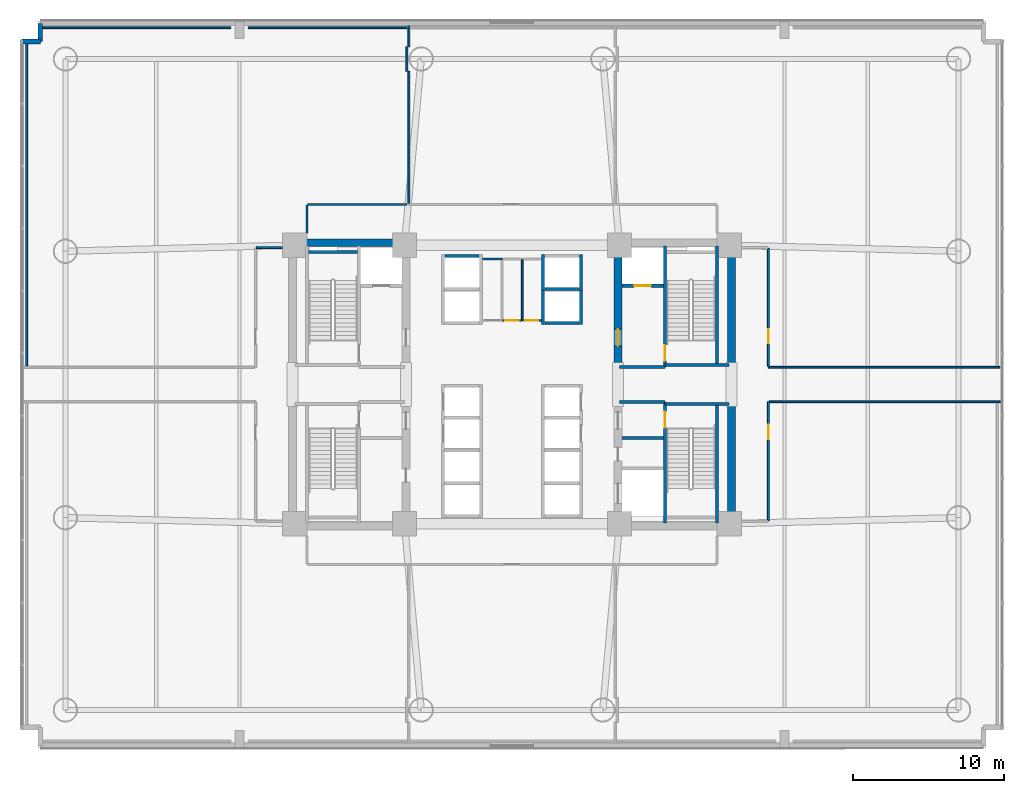
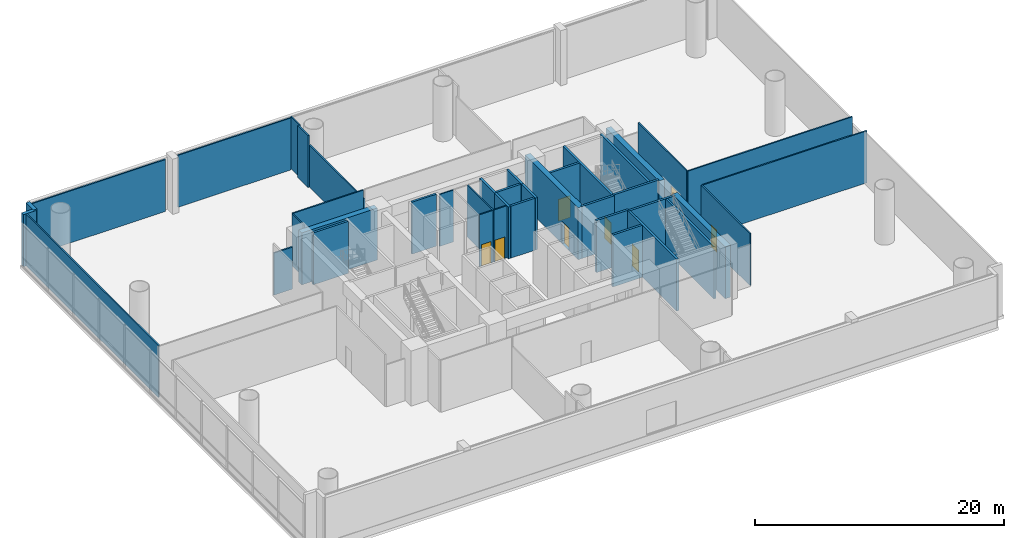
# One storey, part 9 of 15: 41 walls, 8 doors, 8 openings.
"""IFC4 building model written with IfcOpenShell, lengths in metres."""

from ifc_helpers import new_model, si_unit, direction, frame, frame_2d, origin, place, context, subcontext, project, spatial, rectangle, extrude, source, transform, mapped, material, layer, layer_set, type_object, element, fill, save


model = new_model("IFC4")

# Units and contexts
model_context = context("Model", 3, precision=1e-05, world=origin(), true_north=direction((0.0, 1.0)))
body_context = subcontext(model_context, "Body", "Model", "MODEL_VIEW")
ifc_project = project(units=[si_unit("LENGTHUNIT", "METRE"), si_unit("AREAUNIT", "SQUARE_METRE"), si_unit("VOLUMEUNIT", "CUBIC_METRE"), si_unit("PLANEANGLEUNIT", "RADIAN"), si_unit("MASSUNIT", "GRAM", prefix="KILO")], contexts=[model_context])

# Site, building, storey
site_placement = place(None, origin())
site = spatial("IfcSite", under=ifc_project, at=site_placement, CompositionType="ELEMENT")
building_placement = place(site_placement, origin())
building = spatial("IfcBuilding", under=site, at=building_placement, Name="Zahravan Cultural Tower", CompositionType="ELEMENT")
storey_placement = place(building_placement, frame((0.0, 0.0, 7.199951171875)))
storey = spatial("IfcBuildingStorey", under=building, at=storey_placement, Name="L01", CompositionType="ELEMENT", Elevation=7.199951171875)

# Wall, opening, door
ifc_material_1 = material(Name="Concrete C60/75", Category="concrete")
ifc_layer_1 = layer(ifc_material_1, 0.5)
ifc_layer_set_1 = layer_set([ifc_layer_1], Name="Concrete C60/75")
wall_type_1 = type_object("IfcWallType", Name="CW-SHEAR-500-C60", PredefinedType="SHEAR", material=ifc_layer_set_1)
wall_1_placement = place(storey_placement, frame((43.0, 28.050048828125, 0.0), z_axis=(0.0, 0.0, 1.0), x_axis=(0.0, 1.0, 0.0)))
wall_1 = element("IfcWall", 1, at=wall_1_placement, inside=storey, type_object=wall_type_1, Name="L01 Core Shear Wall CW-E-WN-L01", PredefinedType="SHEAR", context=body_context, shape_type="SweptSolid", body=[
    extrude(rectangle(XDim=8.550048828125, YDim=0.5, at=frame_2d((4.27490234375, 0.0))), origin(), (0.0, 0.0, 1.0), 5.10009765625),
])
opening_1_placement = place(wall_1_placement, frame((1.5, 0.0, 0.0)))
opening_1 = element("IfcOpeningElement", 2, at=opening_1_placement, cuts=wall_1, Name="Opening D-L01-06", PredefinedType="OPENING", context=body_context, shape_type="SweptSolid", body=[
    extrude(rectangle(XDim=1.10009765625, YDim=2.199951171875, at=frame_2d((0.550048828125, 1.10009765625))), frame((0.0, 0.260009765625, 0.0), z_axis=(0.0, -1.0, 0.0), x_axis=(1.0, 0.0, 0.0)), (0.0, 0.0, 1.0), 0.52001953125),
])
ifc_material_2 = material(Name="Steel ASTM A572 Grade 50", Category="steel")
door_type_1 = type_object("IfcDoorType", Name="DR-LOBBY-1100", OperationType="NOTDEFINED", PredefinedType="DOOR", material=ifc_material_2)
shared_shape_1 = source(origin(), body_context, "Body", "SweptSolid", [
    extrude(rectangle(XDim=1.10009765625, YDim=2.199951171875, at=frame_2d((0.550048828125, 1.10009765625))), frame((0.0, 0.02490234375, 0.0), z_axis=(0.0, -1.0, 0.0), x_axis=(1.0, 0.0, 0.0)), (0.0, 0.0, 1.0), 0.050048828125),
])
door_1_placement = place(opening_1_placement, origin())
door_1 = element("IfcDoor", 3, at=door_1_placement, inside=storey, type_object=door_type_1, Name="L01 Door D-L01-06", OperationType="SINGLE_SWING_RIGHT", OverallHeight=2.199951171875, OverallWidth=1.10009765625, PredefinedType="DOOR", context=body_context, shape_type="MappedRepresentation", body=[
    mapped(shared_shape_1, transform((0.0, 0.0, 0.0), x_axis=(1.0, 0.0, 0.0), y_axis=(0.0, 1.0, 0.0), z_axis=(0.0, 0.0, 1.0), scale=1.0)),
])
fill(opening_1, door_1)

ifc_material_3 = material(Name="Gypsum plasterboard partition")
ifc_layer_2 = layer(ifc_material_3, 0.125)
ifc_layer_set_2 = layer_set([ifc_layer_2], Name="Gypsum plasterboard partition")
wall_type_2 = type_object("IfcWallType", Name="W-PART-125", PredefinedType="PARTITIONING", material=ifc_layer_set_2)
wall_2_placement = place(storey_placement, frame((52.93994140625, 18.00732421875, 0.0), z_axis=(0.0, 0.0, 1.0), x_axis=(0.0, 1.0, 0.0)))
wall_2 = element("IfcWall", 4, at=wall_2_placement, inside=storey, type_object=wall_type_2, Name="L01 Interior Wall 111", PredefinedType="PARTITIONING", context=body_context, shape_type="SweptSolid", body=[
    extrude(rectangle(XDim=7.852783203125, YDim=0.125, at=frame_2d((3.92626953125, 0.0))), origin(), (0.0, 0.0, 1.0), 5.10009765625),
])
opening_2_placement = place(wall_2_placement, frame((5.384033203125, 0.0, 0.0)))
opening_2 = element("IfcOpeningElement", 5, at=opening_2_placement, cuts=wall_2, Name="Opening D-L01-16", PredefinedType="OPENING", context=body_context, shape_type="SweptSolid", body=[
    extrude(rectangle(XDim=0.949951171875, YDim=2.14990234375, at=frame_2d((0.47509765625, 1.074951171875))), frame((0.0, 0.072509765625, 0.0), z_axis=(0.0, -1.0, 0.0), x_axis=(1.0, 0.0, 0.0)), (0.0, 0.0, 1.0), 0.14501953125),
])
ifc_material_4 = material(Name="Anodised bronze-aluminium mullion", Category="aluminium")
door_type_2 = type_object("IfcDoorType", Name="DR-ROOM-950", OperationType="NOTDEFINED", PredefinedType="DOOR", material=ifc_material_4)
shared_shape_2 = source(origin(), body_context, "Body", "SweptSolid", [
    extrude(rectangle(XDim=0.949951171875, YDim=2.14990234375, at=frame_2d((0.47509765625, 1.074951171875))), frame((0.0, 0.02490234375, 0.0), z_axis=(0.0, -1.0, 0.0), x_axis=(1.0, 0.0, 0.0)), (0.0, 0.0, 1.0), 0.050048828125),
])
door_2_placement = place(opening_2_placement, origin())
door_2 = element("IfcDoor", 6, at=door_2_placement, inside=storey, type_object=door_type_2, Name="L01 Door D-L01-16", OperationType="SINGLE_SWING_RIGHT", OverallHeight=2.14990234375, OverallWidth=0.949951171875, PredefinedType="DOOR", context=body_context, shape_type="MappedRepresentation", body=[
    mapped(shared_shape_2, transform((0.0, 0.0, 0.0), x_axis=(1.0, 0.0, 0.0), y_axis=(0.0, 1.0, 0.0), z_axis=(0.0, 0.0, 1.0), scale=1.0)),
])
fill(opening_2, door_2)

wall_3_placement = place(storey_placement, frame((52.93994140625, 28.20751953125, 0.0), z_axis=(0.0, 0.0, 1.0), x_axis=(0.0, 1.0, 0.0)))
wall_3 = element("IfcWall", 7, at=wall_3_placement, inside=storey, type_object=wall_type_2, Name="L01 Interior Wall 114", PredefinedType="PARTITIONING", context=body_context, shape_type="SweptSolid", body=[
    extrude(rectangle(XDim=7.78515625, YDim=0.125, at=frame_2d((3.892578125, 0.0))), origin(), (0.0, 0.0, 1.0), 5.10009765625),
])
opening_3_placement = place(wall_3_placement, frame((1.503662109375, 0.0, 0.0)))
opening_3 = element("IfcOpeningElement", 8, at=opening_3_placement, cuts=wall_3, Name="Opening D-L01-17", PredefinedType="OPENING", context=body_context, shape_type="SweptSolid", body=[
    extrude(rectangle(XDim=0.949951171875, YDim=2.14990234375, at=frame_2d((0.47509765625, 1.074951171875))), frame((0.0, 0.072509765625, 0.0), z_axis=(0.0, -1.0, 0.0), x_axis=(1.0, 0.0, 0.0)), (0.0, 0.0, 1.0), 0.14501953125),
])
door_3_placement = place(opening_3_placement, origin())
door_3 = element("IfcDoor", 9, at=door_3_placement, inside=storey, type_object=door_type_2, Name="L01 Door D-L01-17", OperationType="SINGLE_SWING_LEFT", OverallHeight=2.14990234375, OverallWidth=0.949951171875, PredefinedType="DOOR", context=body_context, shape_type="MappedRepresentation", body=[
    mapped(shared_shape_2, transform((0.0, 0.0, 0.0), x_axis=(1.0, 0.0, 0.0), y_axis=(0.0, 1.0, 0.0), z_axis=(0.0, 0.0, 1.0), scale=1.0)),
])
fill(opening_3, door_3)

ifc_material_5 = material(Name="Concrete C45/55", Category="concrete")
ifc_layer_3 = layer(ifc_material_5, 0.199951171875)
ifc_layer_set_3 = layer_set([ifc_layer_3], Name="Concrete C45/55")
wall_type_3 = type_object("IfcWallType", Name="W-SHAFT-200", PredefinedType="SOLIDWALL", material=ifc_layer_set_3)
wall_4_placement = place(storey_placement, frame((46.10009765625, 17.85009765625, 0.0), z_axis=(0.0, 0.0, 1.0), x_axis=(0.0, 1.0, 0.0)))
wall_4 = element("IfcWall", 10, at=wall_4_placement, inside=storey, type_object=wall_type_3, Name="L01 Interior Wall 007", PredefinedType="SOLIDWALL", context=body_context, shape_type="SweptSolid", body=[
    extrude(rectangle(XDim=8.0, YDim=0.199951171875, at=frame_2d((4.0, 0.0))), origin(), (0.0, 0.0, 1.0), 5.10009765625),
])
opening_4_placement = place(wall_4_placement, frame((6.300048828125, 0.0, 0.0)))
opening_4 = element("IfcOpeningElement", 11, at=opening_4_placement, cuts=wall_4, Name="Opening D-L01-03", PredefinedType="OPENING", context=body_context, shape_type="SweptSolid", body=[
    extrude(rectangle(XDim=1.050048828125, YDim=2.14990234375, at=frame_2d((0.52490234375, 1.074951171875))), frame((0.0, 0.10986328125, 0.0), z_axis=(0.0, -1.0, 0.0), x_axis=(1.0, 0.0, 0.0)), (0.0, 0.0, 1.0), 0.219970703125),
])
door_type_3 = type_object("IfcDoorType", Name="DR-STAIR-1050", OperationType="NOTDEFINED", PredefinedType="DOOR", material=ifc_material_2)
shared_shape_3 = source(origin(), body_context, "Body", "SweptSolid", [
    extrude(rectangle(XDim=1.050048828125, YDim=2.14990234375, at=frame_2d((0.52490234375, 1.074951171875))), frame((0.0, 0.02490234375, 0.0), z_axis=(0.0, -1.0, 0.0), x_axis=(1.0, 0.0, 0.0)), (0.0, 0.0, 1.0), 0.050048828125),
])
door_4_placement = place(opening_4_placement, origin())
door_4 = element("IfcDoor", 12, at=door_4_placement, inside=storey, type_object=door_type_3, Name="L01 Door D-L01-03", OperationType="SINGLE_SWING_LEFT", OverallHeight=2.14990234375, OverallWidth=1.050048828125, PredefinedType="DOOR", context=body_context, shape_type="MappedRepresentation", body=[
    mapped(shared_shape_3, transform((0.0, 0.0, 0.0), x_axis=(1.0, 0.0, 0.0), y_axis=(0.0, 1.0, 0.0), z_axis=(0.0, 0.0, 1.0), scale=1.0)),
])
fill(opening_4, door_4)

wall_5_placement = place(storey_placement, frame((46.10009765625, 28.14990234375, 0.0), z_axis=(0.0, 0.0, 1.0), x_axis=(0.0, 1.0, 0.0)))
wall_5 = element("IfcWall", 13, at=wall_5_placement, inside=storey, type_object=wall_type_3, Name="L01 Interior Wall 008", PredefinedType="SOLIDWALL", context=body_context, shape_type="SweptSolid", body=[
    extrude(rectangle(XDim=8.0, YDim=0.199951171875, at=frame_2d((4.0, 0.0))), origin(), (0.0, 0.0, 1.0), 5.10009765625),
])
opening_5_placement = place(wall_5_placement, frame((0.39990234375, 0.0, 0.0)))
opening_5 = element("IfcOpeningElement", 14, at=opening_5_placement, cuts=wall_5, Name="Opening D-L01-02", PredefinedType="OPENING", context=body_context, shape_type="SweptSolid", body=[
    extrude(rectangle(XDim=1.050048828125, YDim=2.14990234375, at=frame_2d((0.52490234375, 1.074951171875))), frame((0.0, 0.10986328125, 0.0), z_axis=(0.0, -1.0, 0.0), x_axis=(1.0, 0.0, 0.0)), (0.0, 0.0, 1.0), 0.219970703125),
])
door_5_placement = place(opening_5_placement, origin())
door_5 = element("IfcDoor", 15, at=door_5_placement, inside=storey, type_object=door_type_3, Name="L01 Door D-L01-02", OperationType="SINGLE_SWING_RIGHT", OverallHeight=2.14990234375, OverallWidth=1.050048828125, PredefinedType="DOOR", context=body_context, shape_type="MappedRepresentation", body=[
    mapped(shared_shape_3, transform((0.0, 0.0, 0.0), x_axis=(1.0, 0.0, 0.0), y_axis=(0.0, 1.0, 0.0), z_axis=(0.0, 0.0, 1.0), scale=1.0)),
])
fill(opening_5, door_5)

wall_6_placement = place(storey_placement, frame((43.25, 33.52001953125, 0.0), z_axis=(0.0, 0.0, 1.0), x_axis=(1.0, 0.0, 0.0)))
wall_6 = element("IfcWall", 16, at=wall_6_placement, inside=storey, type_object=wall_type_3, Name="L01 Interior Wall 022", PredefinedType="SOLIDWALL", context=body_context, shape_type="SweptSolid", body=[
    extrude(rectangle(XDim=2.75, YDim=0.199951171875, at=frame_2d((1.375, 0.0))), origin(), (0.0, 0.0, 1.0), 5.10009765625),
])
opening_6_placement = place(wall_6_placement, frame((0.820068359375, 0.0, 0.0)))
opening_6 = element("IfcOpeningElement", 17, at=opening_6_placement, cuts=wall_6, Name="Opening LD-L01-02", PredefinedType="OPENING", context=body_context, shape_type="SweptSolid", body=[
    extrude(rectangle(XDim=1.10009765625, YDim=2.14990234375, at=frame_2d((0.550048828125, 1.074951171875))), frame((0.0, 0.10986328125, 0.0), z_axis=(0.0, -1.0, 0.0), x_axis=(1.0, 0.0, 0.0)), (0.0, 0.0, 1.0), 0.219970703125),
])
door_type_4 = type_object("IfcDoorType", Name="DR-LIFT-1100", OperationType="DOUBLE_DOOR_SLIDING", PredefinedType="DOOR", material=ifc_material_2)
shared_shape_4 = source(origin(), body_context, "Body", "SweptSolid", [
    extrude(rectangle(XDim=1.10009765625, YDim=2.14990234375, at=frame_2d((0.550048828125, 1.074951171875))), frame((0.0, 0.02490234375, 0.0), z_axis=(0.0, -1.0, 0.0), x_axis=(1.0, 0.0, 0.0)), (0.0, 0.0, 1.0), 0.050048828125),
])
door_6_placement = place(opening_6_placement, origin())
door_6 = element("IfcDoor", 18, at=door_6_placement, inside=storey, type_object=door_type_4, Name="L01 Door LD-L01-02", OperationType="DOUBLE_DOOR_SLIDING", OverallHeight=2.14990234375, OverallWidth=1.10009765625, PredefinedType="DOOR", context=body_context, shape_type="MappedRepresentation", body=[
    mapped(shared_shape_4, transform((0.0, 0.0, 0.0), x_axis=(1.0, 0.0, 0.0), y_axis=(0.0, 1.0, 0.0), z_axis=(0.0, 0.0, 1.0), scale=1.0)),
])
fill(opening_6, door_6)

ifc_layer_4 = layer(ifc_material_3, 0.114990234375)
ifc_layer_set_4 = layer_set([ifc_layer_4], Name="Gypsum plasterboard partition")
wall_type_4 = type_object("IfcWallType", Name="W-WC-115", PredefinedType="PARTITIONING", material=ifc_layer_set_4)
wall_7_placement = place(storey_placement, frame((37.945068359375, 31.219970703125, 0.0), z_axis=(0.0, 0.0, 1.0), x_axis=(-1.0, 0.0, 0.0)))
wall_7 = element("IfcWall", 19, at=wall_7_placement, inside=storey, type_object=wall_type_4, Name="L01 Interior Wall 068", PredefinedType="PARTITIONING", context=body_context, shape_type="SweptSolid", body=[
    extrude(rectangle(XDim=1.20263671875, YDim=0.114990234375, at=frame_2d((0.601318359375, 0.0))), origin(), (0.0, 0.0, 1.0), 5.10009765625),
])
opening_7_placement = place(wall_7_placement, frame((0.19970703125, 0.0, 0.0)))
opening_7 = element("IfcOpeningElement", 20, at=opening_7_placement, cuts=wall_7, Name="Opening D-L01-13", PredefinedType="OPENING", context=body_context, shape_type="SweptSolid", body=[
    extrude(rectangle(XDim=0.89990234375, YDim=2.10009765625, at=frame_2d((0.449951171875, 1.050048828125))), frame((0.0, 0.0673828125, 0.0), z_axis=(0.0, -1.0, 0.0), x_axis=(1.0, 0.0, 0.0)), (0.0, 0.0, 1.0), 0.135009765625),
])
door_type_5 = type_object("IfcDoorType", Name="DR-WC-900", OperationType="NOTDEFINED", PredefinedType="DOOR", material=ifc_material_4)
shared_shape_5 = source(origin(), body_context, "Body", "SweptSolid", [
    extrude(rectangle(XDim=0.89990234375, YDim=2.10009765625, at=frame_2d((0.449951171875, 1.050048828125))), frame((0.0, 0.02490234375, 0.0), z_axis=(0.0, -1.0, 0.0), x_axis=(1.0, 0.0, 0.0)), (0.0, 0.0, 1.0), 0.050048828125),
])
door_7_placement = place(opening_7_placement, origin())
door_7 = element("IfcDoor", 21, at=door_7_placement, inside=storey, type_object=door_type_5, Name="L01 Door D-L01-13", OperationType="SINGLE_SWING_LEFT", OverallHeight=2.10009765625, OverallWidth=0.89990234375, PredefinedType="DOOR", context=body_context, shape_type="MappedRepresentation", body=[
    mapped(shared_shape_5, transform((0.0, 0.0, 0.0), x_axis=(1.0, 0.0, 0.0), y_axis=(0.0, 1.0, 0.0), z_axis=(0.0, 0.0, 1.0), scale=1.0)),
])
fill(opening_7, door_7)

wall_8_placement = place(storey_placement, frame((36.617431640625, 31.219970703125, 0.0), z_axis=(0.0, 0.0, 1.0), x_axis=(-1.0, 0.0, 0.0)))
wall_8 = element("IfcWall", 22, at=wall_8_placement, inside=storey, type_object=wall_type_4, Name="L01 Interior Wall 073", PredefinedType="PARTITIONING", context=body_context, shape_type="SweptSolid", body=[
    extrude(rectangle(XDim=1.21484375, YDim=0.114990234375, at=frame_2d((0.607421875, 0.0))), origin(), (0.0, 0.0, 1.0), 5.10009765625),
])
opening_8_placement = place(wall_8_placement, frame((0.157470703125, 0.0, 0.0)))
opening_8 = element("IfcOpeningElement", 23, at=opening_8_placement, cuts=wall_8, Name="Opening D-L01-12", PredefinedType="OPENING", context=body_context, shape_type="SweptSolid", body=[
    extrude(rectangle(XDim=0.89990234375, YDim=2.10009765625, at=frame_2d((0.449951171875, 1.050048828125))), frame((0.0, 0.0673828125, 0.0), z_axis=(0.0, -1.0, 0.0), x_axis=(1.0, 0.0, 0.0)), (0.0, 0.0, 1.0), 0.135009765625),
])
door_8_placement = place(opening_8_placement, origin())
door_8 = element("IfcDoor", 24, at=door_8_placement, inside=storey, type_object=door_type_5, Name="L01 Door D-L01-12", OperationType="SINGLE_SWING_RIGHT", OverallHeight=2.10009765625, OverallWidth=0.89990234375, PredefinedType="DOOR", context=body_context, shape_type="MappedRepresentation", body=[
    mapped(shared_shape_5, transform((0.0, 0.0, 0.0), x_axis=(1.0, 0.0, 0.0), y_axis=(0.0, 1.0, 0.0), z_axis=(0.0, 0.0, 1.0), scale=1.0)),
])
fill(opening_8, door_8)

# Walls
shared_shape_6 = source(origin(), body_context, "Body", "SweptSolid", [
    extrude(rectangle(XDim=8.550048828125, YDim=0.5, at=frame_2d((4.27490234375, 0.0))), origin(), (0.0, 0.0, 1.0), 5.10009765625),
])
for number, where, z_axis, x_axis, name in (
    (25, (50.5, 17.39990234375, 0.0), (0.0, 0.0, 1.0), (0.0, 1.0, 0.0), "L01 Core Shear Wall CW-E-ES-L01"),
    (26, (50.5, 28.050048828125, 0.0), (0.0, 0.0, 1.0), (0.0, 1.0, 0.0), "L01 Core Shear Wall CW-E-EN-L01"),
):
    element("IfcWall", number, at=place(storey_placement, frame(where, z_axis=z_axis, x_axis=x_axis)), inside=storey, type_object=wall_type_1, Name=name, PredefinedType="SHEAR", context=body_context, shape_type="MappedRepresentation", body=[
        mapped(shared_shape_6, transform((0.0, 0.0, 0.0), x_axis=(1.0, 0.0, 0.0), y_axis=(0.0, 1.0, 0.0), z_axis=(0.0, 0.0, 1.0), scale=1.0)),
    ])
shared_shape_7 = source(origin(), body_context, "Body", "SweptSolid", [
    extrude(rectangle(XDim=7.0, YDim=0.5, at=frame_2d((3.5, 0.0))), origin(), (0.0, 0.0, 1.0), 5.10009765625),
])
wall_9_placement = place(storey_placement, frame((21.75, 36.35009765625, 0.0), z_axis=(0.0, 0.0, 1.0), x_axis=(1.0, 0.0, 0.0)))
element("IfcWall", 27, at=wall_9_placement, inside=storey, type_object=wall_type_1, Name="L01 Core Shear Wall CW-W-N-L01", PredefinedType="SHEAR", context=body_context, shape_type="MappedRepresentation", body=[
    mapped(shared_shape_7, transform((0.0, 0.0, 0.0), x_axis=(1.0, 0.0, 0.0), y_axis=(0.0, 1.0, 0.0), z_axis=(0.0, 0.0, 1.0), scale=1.0)),
])
ifc_material_6 = material(Name="Precast concrete C40/50", Category="concrete")
ifc_layer_5 = layer(ifc_material_6, 0.320068359375)
ifc_layer_set_5 = layer_set([ifc_layer_5], Name="Precast concrete C40/50")
wall_type_5 = type_object("IfcWallType", Name="EW-TC-320", PredefinedType="SOLIDWALL", material=ifc_layer_set_5)
shared_shape_8 = source(origin(), body_context, "Body", "SweptSolid", [
    extrude(rectangle(XDim=1.2001953125, YDim=0.320068359375, at=frame_2d((0.60009765625, 0.0))), origin(), (0.0, 0.0, 1.0), 5.10009765625),
])
for number, where, z_axis, x_axis, name in (
    (28, (3.639892578125, 49.659912109375, 0.0), (0.0, 0.0, 1.0), (1.0, 0.0, 0.0), "L01 Exterior Masonry Frame Wall 06"),
    (29, (4.840087890625, 49.659912109375, 0.0), (0.0, 0.0, 1.0), (0.0, 1.0, 0.0), "L01 Exterior Masonry Frame Wall 07"),
):
    element("IfcWall", number, at=place(storey_placement, frame(where, z_axis=z_axis, x_axis=x_axis)), inside=storey, type_object=wall_type_5, Name=name, PredefinedType="SOLIDWALL", context=body_context, shape_type="MappedRepresentation", body=[
        mapped(shared_shape_8, transform((0.0, 0.0, 0.0), x_axis=(1.0, 0.0, 0.0), y_axis=(0.0, 1.0, 0.0), z_axis=(0.0, 0.0, 1.0), scale=1.0)),
    ])
shared_shape_9 = source(origin(), body_context, "Body", "SweptSolid", [
    extrude(rectangle(XDim=7.869873046875, YDim=0.199951171875, at=frame_2d((3.93505859375, 0.0))), origin(), (0.0, 0.0, 1.0), 5.10009765625),
])
for number, where, z_axis, x_axis, name in (
    (30, (49.550048828125, 17.85009765625, 0.0), (0.0, 0.0, 1.0), (0.0, 1.0, 0.0), "L01 Interior Wall 003"),
    (31, (49.550048828125, 28.280029296875, 0.0), (0.0, 0.0, 1.0), (0.0, 1.0, 0.0), "L01 Interior Wall 004"),
):
    element("IfcWall", number, at=place(storey_placement, frame(where, z_axis=z_axis, x_axis=x_axis)), inside=storey, type_object=wall_type_3, Name=name, PredefinedType="SOLIDWALL", context=body_context, shape_type="MappedRepresentation", body=[
        mapped(shared_shape_9, transform((0.0, 0.0, 0.0), x_axis=(1.0, 0.0, 0.0), y_axis=(0.0, 1.0, 0.0), z_axis=(0.0, 0.0, 1.0), scale=1.0)),
    ])
shared_shape_10 = source(origin(), body_context, "Body", "SweptSolid", [
    extrude(rectangle(XDim=4.25, YDim=0.199951171875, at=frame_2d((2.125, 0.0))), origin(), (0.0, 0.0, 1.0), 5.10009765625),
])
for number, where, z_axis, x_axis, name in (
    (32, (46.10009765625, 25.715087890625, 0.0), (0.0, 0.0, 1.0), (1.0, 0.0, 0.0), "L01 Interior Wall 014"),
    (33, (46.10009765625, 28.284912109375, 0.0), (0.0, 0.0, 1.0), (1.0, 0.0, 0.0), "L01 Interior Wall 016"),
):
    element("IfcWall", number, at=place(storey_placement, frame(where, z_axis=z_axis, x_axis=x_axis)), inside=storey, type_object=wall_type_3, Name=name, PredefinedType="SOLIDWALL", context=body_context, shape_type="MappedRepresentation", body=[
        mapped(shared_shape_10, transform((0.0, 0.0, 0.0), x_axis=(1.0, 0.0, 0.0), y_axis=(0.0, 1.0, 0.0), z_axis=(0.0, 0.0, 1.0), scale=1.0)),
    ])
shared_shape_11 = source(origin(), body_context, "Body", "SweptSolid", [
    extrude(rectangle(XDim=3.0, YDim=0.199951171875, at=frame_2d((1.5, 0.0))), origin(), (0.0, 0.0, 1.0), 5.10009765625),
])
for number, where, z_axis, x_axis, name in (
    (34, (43.10009765625, 25.85009765625, 0.0), (0.0, 0.0, 1.0), (1.0, 0.0, 0.0), "L01 Interior Wall 013"),
    (35, (43.10009765625, 28.14990234375, 0.0), (0.0, 0.0, 1.0), (1.0, 0.0, 0.0), "L01 Interior Wall 015"),
):
    element("IfcWall", number, at=place(storey_placement, frame(where, z_axis=z_axis, x_axis=x_axis)), inside=storey, type_object=wall_type_3, Name=name, PredefinedType="SOLIDWALL", context=body_context, shape_type="MappedRepresentation", body=[
        mapped(shared_shape_11, transform((0.0, 0.0, 0.0), x_axis=(1.0, 0.0, 0.0), y_axis=(0.0, 1.0, 0.0), z_axis=(0.0, 0.0, 1.0), scale=1.0)),
    ])
shared_shape_12 = source(origin(), body_context, "Body", "SweptSolid", [
    extrude(rectangle(XDim=3.25, YDim=0.199951171875, at=frame_2d((1.625, 0.0))), origin(), (0.0, 0.0, 1.0), 5.10009765625),
])
wall_10_placement = place(storey_placement, frame((22.550048828125, 35.75, 0.0), z_axis=(0.0, 0.0, 1.0), x_axis=(1.0, 0.0, 0.0)))
element("IfcWall", 36, at=wall_10_placement, inside=storey, type_object=wall_type_3, Name="L01 Interior Wall 017", PredefinedType="SOLIDWALL", context=body_context, shape_type="MappedRepresentation", body=[
    mapped(shared_shape_12, transform((0.0, 0.0, 0.0), x_axis=(1.0, 0.0, 0.0), y_axis=(0.0, 1.0, 0.0), z_axis=(0.0, 0.0, 1.0), scale=1.0)),
])
shared_shape_13 = source(origin(), body_context, "Body", "SweptSolid", [
    extrude(rectangle(XDim=2.75, YDim=0.199951171875, at=frame_2d((1.375, 0.0))), origin(), (0.0, 0.0, 1.0), 5.10009765625),
])
wall_11_placement = place(storey_placement, frame((43.25, 23.449951171875, 0.0), z_axis=(0.0, 0.0, 1.0), x_axis=(1.0, 0.0, 0.0)))
element("IfcWall", 37, at=wall_11_placement, inside=storey, type_object=wall_type_3, Name="L01 Interior Wall 024", PredefinedType="SOLIDWALL", context=body_context, shape_type="MappedRepresentation", body=[
    mapped(shared_shape_13, transform((0.0, 0.0, 0.0), x_axis=(1.0, 0.0, 0.0), y_axis=(0.0, 1.0, 0.0), z_axis=(0.0, 0.0, 1.0), scale=1.0)),
])
shared_shape_14 = source(origin(), body_context, "Body", "SweptSolid", [
    extrude(rectangle(XDim=2.400146484375, YDim=0.199951171875, at=frame_2d((1.2001953125, 0.0))), origin(), (0.0, 0.0, 1.0), 5.10009765625),
])
for number, where, z_axis, x_axis, name in (
    (38, (38.050048828125, 33.199951171875, 0.0), (0.0, 0.0, 1.0), (0.0, 1.0, 0.0), "L01 Interior Wall 033"),
    (39, (40.550048828125, 33.199951171875, 0.0), (0.0, 0.0, 1.0), (0.0, 1.0, 0.0), "L01 Interior Wall 034"),
    (40, (38.050048828125, 30.949951171875, 0.0), (0.0, 0.0, 1.0), (0.0, 1.0, 0.0), "L01 Interior Wall 037"),
    (41, (40.550048828125, 30.949951171875, 0.0), (0.0, 0.0, 1.0), (0.0, 1.0, 0.0), "L01 Interior Wall 038"),
):
    element("IfcWall", number, at=place(storey_placement, frame(where, z_axis=z_axis, x_axis=x_axis)), inside=storey, type_object=wall_type_3, Name=name, PredefinedType="SOLIDWALL", context=body_context, shape_type="MappedRepresentation", body=[
        mapped(shared_shape_14, transform((0.0, 0.0, 0.0), x_axis=(1.0, 0.0, 0.0), y_axis=(0.0, 1.0, 0.0), z_axis=(0.0, 0.0, 1.0), scale=1.0)),
    ])
shared_shape_15 = source(origin(), body_context, "Body", "SweptSolid", [
    extrude(rectangle(XDim=2.260009765625, YDim=0.199951171875, at=frame_2d((1.1298828125, 0.0))), origin(), (0.0, 0.0, 1.0), 5.10009765625),
])
for number, where, z_axis, x_axis, name in (
    (42, (31.570068359375, 35.5, 0.0), (0.0, 0.0, 1.0), (1.0, 0.0, 0.0), "L01 Interior Wall 029"),
    (43, (38.169921875, 33.300048828125, 0.0), (0.0, 0.0, 1.0), (1.0, 0.0, 0.0), "L01 Interior Wall 035"),
    (44, (38.169921875, 31.050048828125, 0.0), (0.0, 0.0, 1.0), (1.0, 0.0, 0.0), "L01 Interior Wall 039"),
):
    element("IfcWall", number, at=place(storey_placement, frame(where, z_axis=z_axis, x_axis=x_axis)), inside=storey, type_object=wall_type_3, Name=name, PredefinedType="SOLIDWALL", context=body_context, shape_type="MappedRepresentation", body=[
        mapped(shared_shape_15, transform((0.0, 0.0, 0.0), x_axis=(1.0, 0.0, 0.0), y_axis=(0.0, 1.0, 0.0), z_axis=(0.0, 0.0, 1.0), scale=1.0)),
    ])
shared_shape_16 = source(origin(), body_context, "Body", "SweptSolid", [
    extrude(rectangle(XDim=4.06005859375, YDim=0.114990234375, at=frame_2d((2.030029296875, 0.0))), origin(), (0.0, 0.0, 1.0), 5.10009765625),
])
wall_12_placement = place(storey_placement, frame((36.679931640625, 31.219970703125, 0.0), z_axis=(0.0, 0.0, 1.0), x_axis=(0.0, 1.0, 0.0)))
element("IfcWall", 45, at=wall_12_placement, inside=storey, type_object=wall_type_4, Name="L01 Interior Wall 066", PredefinedType="PARTITIONING", context=body_context, shape_type="MappedRepresentation", body=[
    mapped(shared_shape_16, transform((0.0, 0.0, 0.0), x_axis=(1.0, 0.0, 0.0), y_axis=(0.0, 1.0, 0.0), z_axis=(0.0, 0.0, 1.0), scale=1.0)),
])
shared_shape_17 = source(origin(), body_context, "Body", "SweptSolid", [
    extrude(rectangle(XDim=1.28515625, YDim=0.114990234375, at=frame_2d((0.642578125, 0.0))), origin(), (0.0, 0.0, 1.0), 5.10009765625),
])
wall_13_placement = place(storey_placement, frame((34.054931640625, 35.280029296875, 0.0), z_axis=(0.0, 0.0, 1.0), x_axis=(1.0, 0.0, 0.0)))
element("IfcWall", 46, at=wall_13_placement, inside=storey, type_object=wall_type_4, Name="L01 Interior Wall 069", PredefinedType="PARTITIONING", context=body_context, shape_type="MappedRepresentation", body=[
    mapped(shared_shape_17, transform((0.0, 0.0, 0.0), x_axis=(1.0, 0.0, 0.0), y_axis=(0.0, 1.0, 0.0), z_axis=(0.0, 0.0, 1.0), scale=1.0)),
])
shared_shape_18 = source(origin(), body_context, "Body", "SweptSolid", [
    extrude(rectangle(XDim=1.3798828125, YDim=0.125, at=frame_2d((0.68994140625, 0.0))), origin(), (0.0, 0.0, 1.0), 5.10009765625),
])
wall_14_placement = place(storey_placement, frame((29.18994140625, 49.320068359375, 0.0), z_axis=(0.0, 0.0, 1.0), x_axis=(0.0, 1.0, 0.0)))
element("IfcWall", 47, at=wall_14_placement, inside=storey, type_object=wall_type_2, Name="L01 Interior Wall 085", PredefinedType="PARTITIONING", context=body_context, shape_type="MappedRepresentation", body=[
    mapped(shared_shape_18, transform((0.0, 0.0, 0.0), x_axis=(1.0, 0.0, 0.0), y_axis=(0.0, 1.0, 0.0), z_axis=(0.0, 0.0, 1.0), scale=1.0)),
])
shared_shape_19 = source(origin(), body_context, "Body", "SweptSolid", [
    extrude(rectangle(XDim=8.722412109375, YDim=0.125, at=frame_2d((4.361328125, 0.0))), origin(), (0.0, 0.0, 1.0), 4.126953125),
])
wall_15_placement = place(storey_placement, frame((29.18994140625, 38.95751953125, 0.0), z_axis=(0.0, 0.0, 1.0), x_axis=(0.0, 1.0, 0.0)))
element("IfcWall", 48, at=wall_15_placement, inside=storey, type_object=wall_type_2, Name="L01 Interior Wall 084", PredefinedType="PARTITIONING", context=body_context, shape_type="MappedRepresentation", body=[
    mapped(shared_shape_19, transform((0.0, 0.0, 0.0), x_axis=(1.0, 0.0, 0.0), y_axis=(0.0, 1.0, 0.0), z_axis=(0.0, 0.0, 1.0), scale=1.0)),
])
shared_shape_20 = source(origin(), body_context, "Body", "SweptSolid", [
    extrude(rectangle(XDim=10.489990234375, YDim=0.125, at=frame_2d((5.2451171875, 0.0))), origin(), (0.0, 0.0, 1.0), 5.10009765625),
])
wall_16_placement = place(storey_placement, frame((18.570068359375, 50.56005859375, 0.0), z_axis=(0.0, 0.0, 1.0), x_axis=(1.0, 0.0, 0.0)))
element("IfcWall", 49, at=wall_16_placement, inside=storey, type_object=wall_type_2, Name="L01 Interior Wall 103", PredefinedType="PARTITIONING", context=body_context, shape_type="MappedRepresentation", body=[
    mapped(shared_shape_20, transform((0.0, 0.0, 0.0), x_axis=(1.0, 0.0, 0.0), y_axis=(0.0, 1.0, 0.0), z_axis=(0.0, 0.0, 1.0), scale=1.0)),
])
shared_shape_21 = source(origin(), body_context, "Body", "SweptSolid", [
    extrude(rectangle(XDim=12.425048828125, YDim=0.125, at=frame_2d((6.21240234375, 0.0))), origin(), (0.0, 0.0, 1.0), 5.10009765625),
])
wall_17_placement = place(storey_placement, frame((5.0048828125, 50.56005859375, 0.0), z_axis=(0.0, 0.0, 1.0), x_axis=(1.0, 0.0, 0.0)))
element("IfcWall", 50, at=wall_17_placement, inside=storey, type_object=wall_type_2, Name="L01 Interior Wall 102", PredefinedType="PARTITIONING", context=body_context, shape_type="MappedRepresentation", body=[
    mapped(shared_shape_21, transform((0.0, 0.0, 0.0), x_axis=(1.0, 0.0, 0.0), y_axis=(0.0, 1.0, 0.0), z_axis=(0.0, 0.0, 1.0), scale=1.0)),
])
shared_shape_22 = source(origin(), body_context, "Body", "SweptSolid", [
    extrude(rectangle(XDim=1.72412109375, YDim=0.125, at=frame_2d((0.862060546875, 0.0))), origin(), (0.0, 0.0, 1.0), 4.126953125),
])
wall_18_placement = place(storey_placement, frame((20.830078125, 36.0400390625, 0.0), z_axis=(0.0, 0.0, 1.0), x_axis=(-1.0, 0.0, 0.0)))
element("IfcWall", 51, at=wall_18_placement, inside=storey, type_object=wall_type_2, Name="L01 Interior Wall 098", PredefinedType="PARTITIONING", context=body_context, shape_type="MappedRepresentation", body=[
    mapped(shared_shape_22, transform((0.0, 0.0, 0.0), x_axis=(1.0, 0.0, 0.0), y_axis=(0.0, 1.0, 0.0), z_axis=(0.0, 0.0, 1.0), scale=1.0)),
])
shared_shape_23 = source(origin(), body_context, "Body", "SweptSolid", [
    extrude(rectangle(XDim=1.64013671875, YDim=0.125, at=frame_2d((0.820068359375, 0.0))), origin(), (0.0, 0.0, 1.0), 5.10009765625),
])
wall_19_placement = place(storey_placement, frame((29.06005859375, 49.320068359375, 0.0), z_axis=(0.0, 0.0, 1.0), x_axis=(0.0, -1.0, 0.0)))
element("IfcWall", 52, at=wall_19_placement, inside=storey, type_object=wall_type_2, Name="L01 Interior Wall 095", PredefinedType="PARTITIONING", context=body_context, shape_type="MappedRepresentation", body=[
    mapped(shared_shape_23, transform((0.0, 0.0, 0.0), x_axis=(1.0, 0.0, 0.0), y_axis=(0.0, 1.0, 0.0), z_axis=(0.0, 0.0, 1.0), scale=1.0)),
])
shared_shape_24 = source(origin(), body_context, "Body", "SweptSolid", [
    extrude(rectangle(XDim=6.5556640625, YDim=0.125, at=frame_2d((3.27783203125, 0.0))), origin(), (0.0, 0.0, 1.0), 5.10009765625),
])
wall_20_placement = place(storey_placement, frame((29.06005859375, 38.889892578125, 0.0), z_axis=(0.0, 0.0, 1.0), x_axis=(-1.0, 0.0, 0.0)))
element("IfcWall", 53, at=wall_20_placement, inside=storey, type_object=wall_type_2, Name="L01 Interior Wall 096", PredefinedType="PARTITIONING", context=body_context, shape_type="MappedRepresentation", body=[
    mapped(shared_shape_24, transform((0.0, 0.0, 0.0), x_axis=(1.0, 0.0, 0.0), y_axis=(0.0, 1.0, 0.0), z_axis=(0.0, 0.0, 1.0), scale=1.0)),
])
shared_shape_25 = source(origin(), body_context, "Body", "SweptSolid", [
    extrude(rectangle(XDim=1.82568359375, YDim=0.125, at=frame_2d((0.912841796875, 0.0))), origin(), (0.0, 0.0, 1.0), 5.10009765625),
])
wall_21_placement = place(storey_placement, frame((22.4599609375, 38.845703125, 0.0), z_axis=(0.0, 0.0, 1.0), x_axis=(0.0, -1.0, 0.0)))
element("IfcWall", 54, at=wall_21_placement, inside=storey, type_object=wall_type_2, Name="L01 Interior Wall 097", PredefinedType="PARTITIONING", context=body_context, shape_type="MappedRepresentation", body=[
    mapped(shared_shape_25, transform((0.0, 0.0, 0.0), x_axis=(1.0, 0.0, 0.0), y_axis=(0.0, 1.0, 0.0), z_axis=(0.0, 0.0, 1.0), scale=1.0)),
])
shared_shape_26 = source(origin(), body_context, "Body", "SweptSolid", [
    extrude(rectangle(XDim=21.28759765625, YDim=0.125, at=frame_2d((10.643798828125, 0.0))), origin(), (0.0, 0.0, 1.0), 5.10009765625),
])
wall_22_placement = place(storey_placement, frame((3.93994140625, 28.20751953125, 0.0), z_axis=(0.0, 0.0, 1.0), x_axis=(0.0, 1.0, 0.0)))
element("IfcWall", 55, at=wall_22_placement, inside=storey, type_object=wall_type_2, Name="L01 Interior Wall 101", PredefinedType="PARTITIONING", context=body_context, shape_type="MappedRepresentation", body=[
    mapped(shared_shape_26, transform((0.0, 0.0, 0.0), x_axis=(1.0, 0.0, 0.0), y_axis=(0.0, 1.0, 0.0), z_axis=(0.0, 0.0, 1.0), scale=1.0)),
])
shared_shape_27 = source(origin(), body_context, "Body", "SweptSolid", [
    extrude(rectangle(XDim=15.232421875, YDim=0.125, at=frame_2d((7.6162109375, 0.0))), origin(), (0.0, 0.0, 1.0), 5.10009765625),
])
wall_23_placement = place(storey_placement, frame((53.007568359375, 25.860107421875, 0.0), z_axis=(0.0, 0.0, 1.0), x_axis=(1.0, 0.0, 0.0)))
element("IfcWall", 56, at=wall_23_placement, inside=storey, type_object=wall_type_2, Name="L01 Interior Wall 112", PredefinedType="PARTITIONING", context=body_context, shape_type="MappedRepresentation", body=[
    mapped(shared_shape_27, transform((0.0, 0.0, 0.0), x_axis=(1.0, 0.0, 0.0), y_axis=(0.0, 1.0, 0.0), z_axis=(0.0, 0.0, 1.0), scale=1.0)),
])
shared_shape_28 = source(origin(), body_context, "Body", "SweptSolid", [
    extrude(rectangle(XDim=15.295166015625, YDim=0.125, at=frame_2d((7.6474609375, 0.0))), origin(), (0.0, 0.0, 1.0), 5.10009765625),
])
wall_24_placement = place(storey_placement, frame((68.235107421875, 28.139892578125, 0.0), z_axis=(0.0, 0.0, 1.0), x_axis=(-1.0, 0.0, 0.0)))
element("IfcWall", 57, at=wall_24_placement, inside=storey, type_object=wall_type_2, Name="L01 Interior Wall 113", PredefinedType="PARTITIONING", context=body_context, shape_type="MappedRepresentation", body=[
    mapped(shared_shape_28, transform((0.0, 0.0, 0.0), x_axis=(1.0, 0.0, 0.0), y_axis=(0.0, 1.0, 0.0), z_axis=(0.0, 0.0, 1.0), scale=1.0)),
])

save(model, "model.ifc")
